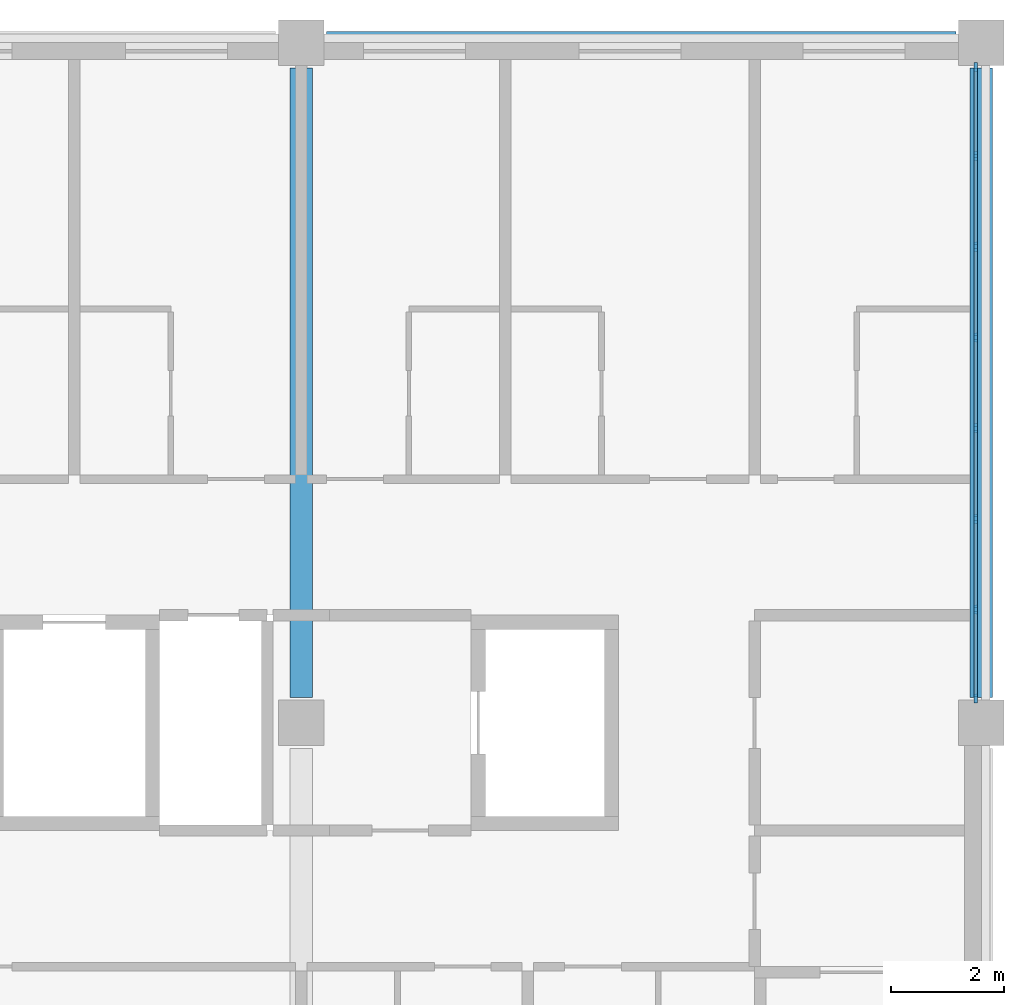
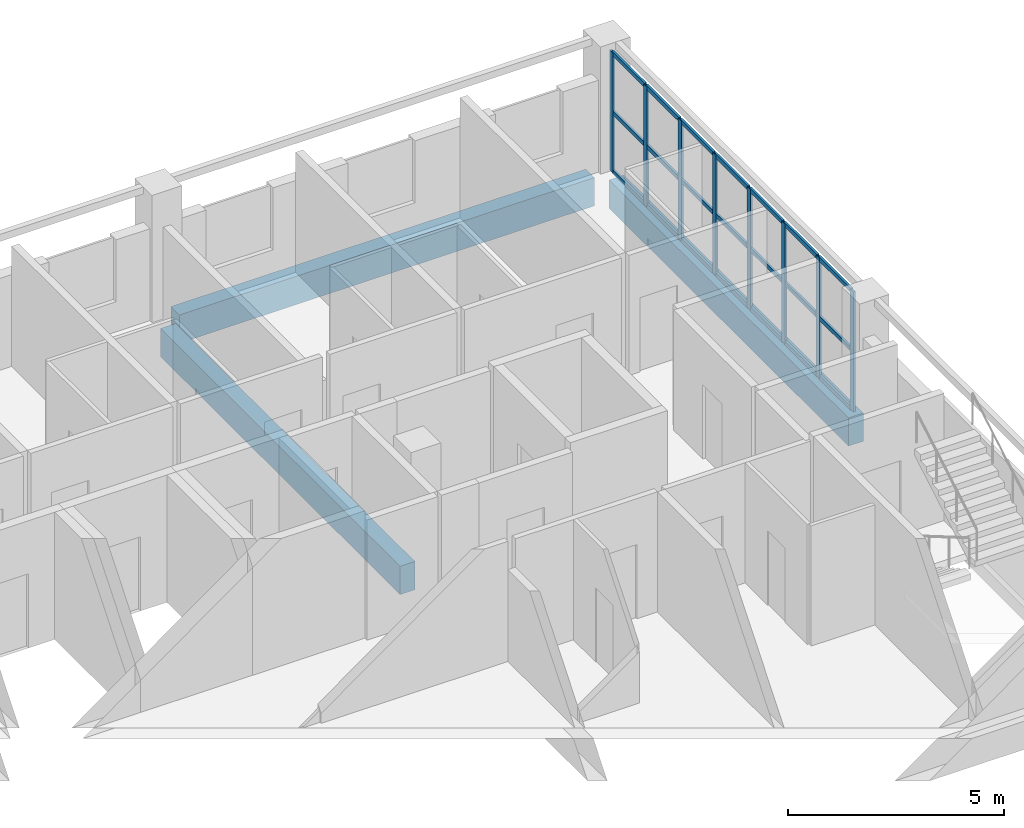
# One storey, part 4 of 11: 29 members, 3 beams, 1 element without a shape of its own.
"""IFC4 building model written with IfcOpenShell, lengths in metres."""

import ifcopenshell
import ifcopenshell.guid

model = None  # the IFC model being written
_history = None  # IfcOwnerHistory: only IFC2X3 demands one
_inside = {}  # id of a spatial element -> (the spatial element, [elements in it])
_under = {}  # id of a project, library or spatial element -> (it, [spatial elements below it])
_declared = {}  # id of a project -> (the project, [libraries it declares])
_typed = {}  # id of a type object -> (the type object, [elements of that type])
_made_of = {}  # id of a material, layer set ... -> (it, [elements and type objects made of it])


def new_model(schema):
    """Start an empty IFC model of exactly this schema.

    Asked for "IFC4X3", IfcOpenShell would pick the latest addendum, in which some entities
    have other attributes; the version numbers below select the first issue.
    IFC2X3 requires an IfcOwnerHistory on every rooted entity: one is made here for all.
    """
    global model, _history
    if schema == "IFC4X3":
        model = ifcopenshell.file(schema_version=(4, 3, 0, 0))
    else:
        model = ifcopenshell.file(schema=schema)
    _inside.clear()
    _under.clear()
    _declared.clear()
    _typed.clear()
    _made_of.clear()
    _history = None
    if model.schema == "IFC2X3":
        org = make("IfcOrganization", Name="unknown")
        user = make(
            "IfcPersonAndOrganization",
            ThePerson=make("IfcPerson", FamilyName="unknown"),
            TheOrganization=org,
        )
        app = make(
            "IfcApplication",
            ApplicationDeveloper=org,
            Version="unknown",
            ApplicationFullName="unknown",
            ApplicationIdentifier="unknown",
        )
        _history = make(
            "IfcOwnerHistory",
            OwningUser=user,
            OwningApplication=app,
            ChangeAction="ADDED",
            CreationDate=0,
        )
    return model


def make(cls, **values):
    """One entity of the class cls with the attributes given. An attribute that is None is left unset."""
    return model.create_entity(
        cls, **{name: value for name, value in values.items() if value is not None}
    )


def rooted(cls, **values):
    """An entity with a GlobalId (a new one), such as an element, a storey or a relation."""
    return make(cls, GlobalId=ifcopenshell.guid.new(), OwnerHistory=_history, **values)


def si_unit(unit_type, name, prefix=None):
    """IfcSIUnit, for example si_unit("LENGTHUNIT", "METRE", prefix="MILLI")."""
    return make("IfcSIUnit", UnitType=unit_type, Prefix=prefix, Name=name)


def assignment(units):
    """IfcUnitAssignment: the units of a project."""
    return None if units is None else make("IfcUnitAssignment", Units=units)


def point(xyz):
    """IfcCartesianPoint."""
    return None if xyz is None else make("IfcCartesianPoint", Coordinates=xyz)


def direction(xyz):
    """IfcDirection."""
    return None if xyz is None else make("IfcDirection", DirectionRatios=xyz)


def frame(location, z_axis=None, x_axis=None):
    """IfcAxis2Placement3D, a coordinate frame: its origin and axes. An axis left out is left unset."""
    return make(
        "IfcAxis2Placement3D",
        Location=point(location),
        Axis=direction(z_axis),
        RefDirection=direction(x_axis),
    )


def frame_2d(location, x_axis=None):
    """IfcAxis2Placement2D, a coordinate frame in the plane: its origin and x axis."""
    return make(
        "IfcAxis2Placement2D", Location=point(location), RefDirection=direction(x_axis)
    )


def origin():
    """The frame at (0, 0, 0) with its axes left unset."""
    return frame((0.0, 0.0, 0.0))


def origin_2d():
    """The frame at (0, 0) in the plane with its x axis left unset."""
    return frame_2d((0.0, 0.0))


def place(relative_to, where):
    """IfcLocalPlacement: puts the frame where relative to a parent placement (None: the world)."""
    return make(
        "IfcLocalPlacement", PlacementRelTo=relative_to, RelativePlacement=where
    )


def context(
    kind, dimensions, precision=None, world=None, true_north=None, identifier=None
):
    """IfcGeometricRepresentationContext, for example the 3D "Model" context."""
    return make(
        "IfcGeometricRepresentationContext",
        ContextIdentifier=identifier,
        ContextType=kind,
        CoordinateSpaceDimension=dimensions,
        Precision=precision,
        WorldCoordinateSystem=world,
        TrueNorth=true_north,
    )


def subcontext(parent, identifier, kind, view, scale=None):
    """IfcGeometricRepresentationSubContext, for example "Body" below "Model"."""
    return make(
        "IfcGeometricRepresentationSubContext",
        ContextIdentifier=identifier,
        ContextType=kind,
        ParentContext=parent,
        TargetScale=scale,
        TargetView=view,
    )


def project(units=None, contexts=None):
    """IfcProject with its units and contexts."""
    return rooted(
        "IfcProject",
        Name="project",
        RepresentationContexts=contexts,
        UnitsInContext=assignment(units),
    )


def spatial(cls, under=None, at=None, **own):
    """A site, building, storey or space (cls), placed at a placement, below another one or the project."""
    s = rooted(cls, ObjectPlacement=at, **own)
    if under is not None:
        _under.setdefault(under.id(), (under, []))[1].append(s)
    return s


def profile(cls, at=None, kind="AREA", **sizes):
    """A parametric profile (cls). Its sizes go by their IFC names, for example OverallWidth=200.0."""
    return make(cls, ProfileType=kind, Position=at, **sizes)


def rectangle(**sizes):
    """IfcRectangleProfileDef."""
    return profile("IfcRectangleProfileDef", **sizes)


def extrude(swept, where, along, depth):
    """IfcExtrudedAreaSolid: the profile swept, set in the frame where, extruded along a direction by depth."""
    return make(
        "IfcExtrudedAreaSolid",
        SweptArea=swept,
        Position=where,
        ExtrudedDirection=direction(along),
        Depth=depth,
    )


def shape(context_of_items, identifier, shape_type, items):
    """IfcShapeRepresentation: the items that make up one representation, for example the "Body"."""
    return make(
        "IfcShapeRepresentation",
        ContextOfItems=context_of_items,
        RepresentationIdentifier=identifier,
        RepresentationType=shape_type,
        Items=items,
    )


def material(Name=None, Category=None):
    """IfcMaterial."""
    return make("IfcMaterial", Name=Name, Category=Category)


def layer(
    of_material, thickness, ventilated=None, Name=None, Category=None, Priority=None
):
    """IfcMaterialLayer: one layer of a wall or slab, of a material (None: an air gap)."""
    return make(
        "IfcMaterialLayer",
        Material=of_material,
        LayerThickness=thickness,
        IsVentilated=ventilated,
        Name=Name,
        Category=Category,
        Priority=Priority,
    )


def layer_set(layers, Name=None):
    """IfcMaterialLayerSet."""
    return make("IfcMaterialLayerSet", MaterialLayers=layers, LayerSetName=Name)


def material_profile(
    of_material, cross_section, Name=None, Category=None, Priority=None
):
    """IfcMaterialProfile: a cross section and its material."""
    return make(
        "IfcMaterialProfile",
        Name=Name,
        Material=of_material,
        Profile=cross_section,
        Priority=Priority,
        Category=Category,
    )


def profile_set(profiles, Name=None, composite=None):
    """IfcMaterialProfileSet."""
    return make(
        "IfcMaterialProfileSet",
        Name=Name,
        MaterialProfiles=profiles,
        CompositeProfile=composite,
    )


def made_of(thing, what):
    """Note that an element or type object is made of a material, layer set ...; save() writes the relation."""
    if what is not None:
        _made_of.setdefault(what.id(), (what, []))[1].append(thing)
    return thing


def type_object(cls, material=None, **own):
    """A type object (cls), such as IfcWallType, which elements share."""
    return made_of(rooted(cls, **own), material)


def element(
    cls,
    number,
    at=None,
    inside=None,
    cuts=None,
    type_object=None,
    material=None,
    context=None,
    identifier="Body",
    shape_type=None,
    held_by="IfcProductDefinitionShape",
    body=None,
    shapes=None,
    **own,
):
    """One element of the class cls, such as IfcWall. Its Tag is "e" and its number.

    at: its placement. inside: the storey or other place that contains it. cuts: it is an
    opening in that element (IfcRelVoidsElement). A single representation is given by context,
    identifier, shape_type and body (its items); several are given by shapes. held_by: the class
    of the entity that holds the representations. save() writes the other relations.
    """
    e = rooted(cls, Tag="e%d" % number, ObjectPlacement=at, **own)
    if body is not None:
        shapes = [shape(context, identifier, shape_type, body)]
    if shapes is not None:
        e.Representation = make(held_by, Representations=shapes)
    if inside is not None:
        _inside.setdefault(inside.id(), (inside, []))[1].append(e)
    if cuts is not None:
        rooted(
            "IfcRelVoidsElement", RelatingBuildingElement=cuts, RelatedOpeningElement=e
        )
    if type_object is not None:
        _typed.setdefault(type_object.id(), (type_object, []))[1].append(e)
    return made_of(e, material)


def aggregate(whole, parts):
    """IfcRelAggregates: a whole, such as a stair, and the parts it consists of."""
    return rooted("IfcRelAggregates", RelatingObject=whole, RelatedObjects=parts)


def save(model, path):
    """Write the relations noted so far, then the file.

    IfcRelAggregates (storeys below a building ...), IfcRelContainedInSpatialStructure (elements
    in a storey), IfcRelDefinesByType, IfcRelAssociatesMaterial and IfcRelDeclares: one each for
    every whole, place, type object, material and project.
    """
    for whole, parts in _under.values():
        aggregate(whole, parts)
    for where, things in _inside.values():
        rooted(
            "IfcRelContainedInSpatialStructure",
            RelatedElements=things,
            RelatingStructure=where,
        )
    for kind, things in _typed.values():
        rooted("IfcRelDefinesByType", RelatedObjects=things, RelatingType=kind)
    for what, things in _made_of.values():
        rooted("IfcRelAssociatesMaterial", RelatedObjects=things, RelatingMaterial=what)
    for by, libraries in _declared.values():
        rooted("IfcRelDeclares", RelatingContext=by, RelatedDefinitions=libraries)
    model.write(path)


model = new_model("IFC4")

# Units and contexts
model_context = context("Model", 3, precision=1e-05, world=origin(), true_north=direction((0.0, 1.0)))
body_context = subcontext(model_context, "Body", "Model", "MODEL_VIEW")
ifc_project = project(units=[si_unit("LENGTHUNIT", "METRE"), si_unit("AREAUNIT", "SQUARE_METRE"), si_unit("VOLUMEUNIT", "CUBIC_METRE"), si_unit("PLANEANGLEUNIT", "RADIAN"), si_unit("MASSUNIT", "GRAM", prefix="KILO")], contexts=[model_context])

# Site, building, storey
site_placement = place(None, origin())
site = spatial("IfcSite", under=ifc_project, at=site_placement, CompositionType="ELEMENT")
building_placement = place(site_placement, origin())
building = spatial("IfcBuilding", under=site, at=building_placement, Name="Lilac Gate Convention Centre", CompositionType="ELEMENT")
storey_placement = place(building_placement, frame((0.0, 0.0, 35.39990234375)))
storey = spatial("IfcBuildingStorey", under=building, at=storey_placement, Name="L08", CompositionType="ELEMENT", Elevation=35.39990234375)

# Curtain wall, members
ifc_material_1 = material(Name="Aluminium framed double glazing", Category="aluminium")
ifc_layer = layer(ifc_material_1, 0.199951171875)
ifc_layer_set = layer_set([ifc_layer], Name="Aluminium framed double glazing")
curtain_wall_type = type_object("IfcCurtainWallType", Name="Unitised curtain wall 1500", PredefinedType="NOTDEFINED", material=ifc_layer_set)
curtain_wall_placement = place(storey_placement, origin())
curtain_wall = element("IfcCurtainWall", 1, at=curtain_wall_placement, inside=storey, type_object=curtain_wall_type, Name="Curtain wall E L08 2", PredefinedType="NOTDEFINED")
ifc_material_2 = material(Name="Aluminium alloy 6063", Category="aluminium")
ifc_material_profile_1 = material_profile(ifc_material_2, rectangle(XDim=0.06005859375, YDim=0.159912109375, at=origin_2d()), Name="Curtain wall mullion 60 x 160")
ifc_profile_set_1 = profile_set([ifc_material_profile_1], Name="Aluminium alloy 6063")
member_type_1 = type_object("IfcMemberType", Name="Curtain wall mullion 60 x 160", PredefinedType="MULLION", material=ifc_profile_set_1)
member_1_placement = place(storey_placement, frame((89.89990234375, 234.429931640625, 0.0), z_axis=(0.0, 0.0, 1.0), x_axis=(-1.0, 0.0, 0.0)))
member_1 = element("IfcMember", 2, at=member_1_placement, type_object=member_type_1, Name="CW mullion 1", PredefinedType="MULLION", context=body_context, shape_type="SweptSolid", body=[
    extrude(rectangle(XDim=0.06005859375, YDim=0.159912109375, at=origin_2d()), origin(), (0.0, 0.0, 1.0), 3.400146484375),
])
member_2_placement = place(storey_placement, frame((89.89990234375, 236.0, 0.0), z_axis=(0.0, 0.0, 1.0), x_axis=(-1.0, 0.0, 0.0)))
member_2 = element("IfcMember", 3, at=member_2_placement, type_object=member_type_1, Name="CW mullion 2", PredefinedType="MULLION", context=body_context, shape_type="SweptSolid", body=[
    extrude(rectangle(XDim=0.06005859375, YDim=0.159912109375, at=origin_2d()), origin(), (0.0, 0.0, 1.0), 3.400146484375),
])
member_3_placement = place(storey_placement, frame((89.89990234375, 237.599853515625, 0.0), z_axis=(0.0, 0.0, 1.0), x_axis=(-1.0, 0.0, 0.0)))
member_3 = element("IfcMember", 4, at=member_3_placement, type_object=member_type_1, Name="CW mullion 3", PredefinedType="MULLION", context=body_context, shape_type="SweptSolid", body=[
    extrude(rectangle(XDim=0.06005859375, YDim=0.159912109375, at=origin_2d()), origin(), (0.0, 0.0, 1.0), 3.400146484375),
])
member_4_placement = place(storey_placement, frame((89.89990234375, 239.199951171875, 0.0), z_axis=(0.0, 0.0, 1.0), x_axis=(-1.0, 0.0, 0.0)))
member_4 = element("IfcMember", 5, at=member_4_placement, type_object=member_type_1, Name="CW mullion 4", PredefinedType="MULLION", context=body_context, shape_type="SweptSolid", body=[
    extrude(rectangle(XDim=0.06005859375, YDim=0.159912109375, at=origin_2d()), origin(), (0.0, 0.0, 1.0), 3.400146484375),
])
member_5_placement = place(storey_placement, frame((89.89990234375, 240.800048828125, 0.0), z_axis=(0.0, 0.0, 1.0), x_axis=(-1.0, 0.0, 0.0)))
member_5 = element("IfcMember", 6, at=member_5_placement, type_object=member_type_1, Name="CW mullion 5", PredefinedType="MULLION", context=body_context, shape_type="SweptSolid", body=[
    extrude(rectangle(XDim=0.06005859375, YDim=0.159912109375, at=origin_2d()), origin(), (0.0, 0.0, 1.0), 3.400146484375),
])
member_6_placement = place(storey_placement, frame((89.89990234375, 242.400146484375, 0.0), z_axis=(0.0, 0.0, 1.0), x_axis=(-1.0, 0.0, 0.0)))
member_6 = element("IfcMember", 7, at=member_6_placement, type_object=member_type_1, Name="CW mullion 6", PredefinedType="MULLION", context=body_context, shape_type="SweptSolid", body=[
    extrude(rectangle(XDim=0.06005859375, YDim=0.159912109375, at=origin_2d()), origin(), (0.0, 0.0, 1.0), 3.400146484375),
])
member_7_placement = place(storey_placement, frame((89.89990234375, 244.0, 0.0), z_axis=(0.0, 0.0, 1.0), x_axis=(-1.0, 0.0, 0.0)))
member_7 = element("IfcMember", 8, at=member_7_placement, type_object=member_type_1, Name="CW mullion 7", PredefinedType="MULLION", context=body_context, shape_type="SweptSolid", body=[
    extrude(rectangle(XDim=0.06005859375, YDim=0.159912109375, at=origin_2d()), origin(), (0.0, 0.0, 1.0), 3.400146484375),
])
member_8_placement = place(storey_placement, frame((89.89990234375, 245.570068359375, 0.0), z_axis=(0.0, 0.0, 1.0), x_axis=(-1.0, 0.0, 0.0)))
member_8 = element("IfcMember", 9, at=member_8_placement, type_object=member_type_1, Name="CW mullion 8", PredefinedType="MULLION", context=body_context, shape_type="SweptSolid", body=[
    extrude(rectangle(XDim=0.06005859375, YDim=0.159912109375, at=origin_2d()), origin(), (0.0, 0.0, 1.0), 3.400146484375),
])
ifc_material_profile_2 = material_profile(ifc_material_2, rectangle(XDim=0.06005859375, YDim=0.1201171875, at=origin_2d()), Name="Curtain wall transom 60 x 120")
ifc_profile_set_2 = profile_set([ifc_material_profile_2], Name="Aluminium alloy 6063")
member_type_2 = type_object("IfcMemberType", Name="Curtain wall transom 60 x 120", PredefinedType="USERDEFINED", material=ifc_profile_set_2)
member_9_placement = place(storey_placement, frame((89.89990234375, 234.4599609375, 0.030029296875), z_axis=(0.0, 1.0, 0.0), x_axis=(-1.0, 0.0, 0.0)))
member_9 = element("IfcMember", 10, at=member_9_placement, type_object=member_type_2, Name="CW transom 1.1", ObjectType="TRANSOM", PredefinedType="USERDEFINED", context=body_context, shape_type="SweptSolid", body=[
    extrude(rectangle(XDim=0.06005859375, YDim=0.1201171875, at=origin_2d()), origin(), (0.0, 0.0, 1.0), 1.510009765625),
])
member_10_placement = place(storey_placement, frame((89.89990234375, 234.4599609375, 1.7001953125), z_axis=(0.0, 1.0, 0.0), x_axis=(-1.0, 0.0, 0.0)))
member_10 = element("IfcMember", 11, at=member_10_placement, type_object=member_type_2, Name="CW transom 1.2", ObjectType="TRANSOM", PredefinedType="USERDEFINED", context=body_context, shape_type="SweptSolid", body=[
    extrude(rectangle(XDim=0.06005859375, YDim=0.1201171875, at=origin_2d()), origin(), (0.0, 0.0, 1.0), 1.510009765625),
])
member_11_placement = place(storey_placement, frame((89.89990234375, 234.4599609375, 3.3701171875), z_axis=(0.0, 1.0, 0.0), x_axis=(-1.0, 0.0, 0.0)))
member_11 = element("IfcMember", 12, at=member_11_placement, type_object=member_type_2, Name="CW transom 1.3", ObjectType="TRANSOM", PredefinedType="USERDEFINED", context=body_context, shape_type="SweptSolid", body=[
    extrude(rectangle(XDim=0.06005859375, YDim=0.1201171875, at=origin_2d()), origin(), (0.0, 0.0, 1.0), 1.510009765625),
])
member_12_placement = place(storey_placement, frame((89.89990234375, 236.030029296875, 0.030029296875), z_axis=(0.0, 1.0, 0.0), x_axis=(-1.0, 0.0, 0.0)))
member_12 = element("IfcMember", 13, at=member_12_placement, type_object=member_type_2, Name="CW transom 2.1", ObjectType="TRANSOM", PredefinedType="USERDEFINED", context=body_context, shape_type="SweptSolid", body=[
    extrude(rectangle(XDim=0.06005859375, YDim=0.1201171875, at=origin_2d()), origin(), (0.0, 0.0, 1.0), 1.5400390625),
])
member_13_placement = place(storey_placement, frame((89.89990234375, 236.030029296875, 1.7001953125), z_axis=(0.0, 1.0, 0.0), x_axis=(-1.0, 0.0, 0.0)))
member_13 = element("IfcMember", 14, at=member_13_placement, type_object=member_type_2, Name="CW transom 2.2", ObjectType="TRANSOM", PredefinedType="USERDEFINED", context=body_context, shape_type="SweptSolid", body=[
    extrude(rectangle(XDim=0.06005859375, YDim=0.1201171875, at=origin_2d()), origin(), (0.0, 0.0, 1.0), 1.5400390625),
])
member_14_placement = place(storey_placement, frame((89.89990234375, 236.030029296875, 3.3701171875), z_axis=(0.0, 1.0, 0.0), x_axis=(-1.0, 0.0, 0.0)))
member_14 = element("IfcMember", 15, at=member_14_placement, type_object=member_type_2, Name="CW transom 2.3", ObjectType="TRANSOM", PredefinedType="USERDEFINED", context=body_context, shape_type="SweptSolid", body=[
    extrude(rectangle(XDim=0.06005859375, YDim=0.1201171875, at=origin_2d()), origin(), (0.0, 0.0, 1.0), 1.5400390625),
])
member_15_placement = place(storey_placement, frame((89.89990234375, 237.6298828125, 0.030029296875), z_axis=(0.0, 1.0, 0.0), x_axis=(-1.0, 0.0, 0.0)))
member_15 = element("IfcMember", 16, at=member_15_placement, type_object=member_type_2, Name="CW transom 3.1", ObjectType="TRANSOM", PredefinedType="USERDEFINED", context=body_context, shape_type="SweptSolid", body=[
    extrude(rectangle(XDim=0.06005859375, YDim=0.1201171875, at=origin_2d()), origin(), (0.0, 0.0, 1.0), 1.5400390625),
])
member_16_placement = place(storey_placement, frame((89.89990234375, 237.6298828125, 1.7001953125), z_axis=(0.0, 1.0, 0.0), x_axis=(-1.0, 0.0, 0.0)))
member_16 = element("IfcMember", 17, at=member_16_placement, type_object=member_type_2, Name="CW transom 3.2", ObjectType="TRANSOM", PredefinedType="USERDEFINED", context=body_context, shape_type="SweptSolid", body=[
    extrude(rectangle(XDim=0.06005859375, YDim=0.1201171875, at=origin_2d()), origin(), (0.0, 0.0, 1.0), 1.5400390625),
])
member_17_placement = place(storey_placement, frame((89.89990234375, 237.6298828125, 3.3701171875), z_axis=(0.0, 1.0, 0.0), x_axis=(-1.0, 0.0, 0.0)))
member_17 = element("IfcMember", 18, at=member_17_placement, type_object=member_type_2, Name="CW transom 3.3", ObjectType="TRANSOM", PredefinedType="USERDEFINED", context=body_context, shape_type="SweptSolid", body=[
    extrude(rectangle(XDim=0.06005859375, YDim=0.1201171875, at=origin_2d()), origin(), (0.0, 0.0, 1.0), 1.5400390625),
])
member_18_placement = place(storey_placement, frame((89.89990234375, 239.22998046875, 0.030029296875), z_axis=(0.0, 1.0, 0.0), x_axis=(-1.0, 0.0, 0.0)))
member_18 = element("IfcMember", 19, at=member_18_placement, type_object=member_type_2, Name="CW transom 4.1", ObjectType="TRANSOM", PredefinedType="USERDEFINED", context=body_context, shape_type="SweptSolid", body=[
    extrude(rectangle(XDim=0.06005859375, YDim=0.1201171875, at=origin_2d()), origin(), (0.0, 0.0, 1.0), 1.5400390625),
])
member_19_placement = place(storey_placement, frame((89.89990234375, 239.22998046875, 1.7001953125), z_axis=(0.0, 1.0, 0.0), x_axis=(-1.0, 0.0, 0.0)))
member_19 = element("IfcMember", 20, at=member_19_placement, type_object=member_type_2, Name="CW transom 4.2", ObjectType="TRANSOM", PredefinedType="USERDEFINED", context=body_context, shape_type="SweptSolid", body=[
    extrude(rectangle(XDim=0.06005859375, YDim=0.1201171875, at=origin_2d()), origin(), (0.0, 0.0, 1.0), 1.5400390625),
])
member_20_placement = place(storey_placement, frame((89.89990234375, 239.22998046875, 3.3701171875), z_axis=(0.0, 1.0, 0.0), x_axis=(-1.0, 0.0, 0.0)))
member_20 = element("IfcMember", 21, at=member_20_placement, type_object=member_type_2, Name="CW transom 4.3", ObjectType="TRANSOM", PredefinedType="USERDEFINED", context=body_context, shape_type="SweptSolid", body=[
    extrude(rectangle(XDim=0.06005859375, YDim=0.1201171875, at=origin_2d()), origin(), (0.0, 0.0, 1.0), 1.5400390625),
])
member_21_placement = place(storey_placement, frame((89.89990234375, 240.830078125, 0.030029296875), z_axis=(0.0, 1.0, 0.0), x_axis=(-1.0, 0.0, 0.0)))
member_21 = element("IfcMember", 22, at=member_21_placement, type_object=member_type_2, Name="CW transom 5.1", ObjectType="TRANSOM", PredefinedType="USERDEFINED", context=body_context, shape_type="SweptSolid", body=[
    extrude(rectangle(XDim=0.06005859375, YDim=0.1201171875, at=origin_2d()), origin(), (0.0, 0.0, 1.0), 1.5400390625),
])
member_22_placement = place(storey_placement, frame((89.89990234375, 240.830078125, 1.7001953125), z_axis=(0.0, 1.0, 0.0), x_axis=(-1.0, 0.0, 0.0)))
member_22 = element("IfcMember", 23, at=member_22_placement, type_object=member_type_2, Name="CW transom 5.2", ObjectType="TRANSOM", PredefinedType="USERDEFINED", context=body_context, shape_type="SweptSolid", body=[
    extrude(rectangle(XDim=0.06005859375, YDim=0.1201171875, at=origin_2d()), origin(), (0.0, 0.0, 1.0), 1.5400390625),
])
member_23_placement = place(storey_placement, frame((89.89990234375, 240.830078125, 3.3701171875), z_axis=(0.0, 1.0, 0.0), x_axis=(-1.0, 0.0, 0.0)))
member_23 = element("IfcMember", 24, at=member_23_placement, type_object=member_type_2, Name="CW transom 5.3", ObjectType="TRANSOM", PredefinedType="USERDEFINED", context=body_context, shape_type="SweptSolid", body=[
    extrude(rectangle(XDim=0.06005859375, YDim=0.1201171875, at=origin_2d()), origin(), (0.0, 0.0, 1.0), 1.5400390625),
])
member_24_placement = place(storey_placement, frame((89.89990234375, 242.429931640625, 0.030029296875), z_axis=(0.0, 1.0, 0.0), x_axis=(-1.0, 0.0, 0.0)))
member_24 = element("IfcMember", 25, at=member_24_placement, type_object=member_type_2, Name="CW transom 6.1", ObjectType="TRANSOM", PredefinedType="USERDEFINED", context=body_context, shape_type="SweptSolid", body=[
    extrude(rectangle(XDim=0.06005859375, YDim=0.1201171875, at=origin_2d()), origin(), (0.0, 0.0, 1.0), 1.5400390625),
])
member_25_placement = place(storey_placement, frame((89.89990234375, 242.429931640625, 1.7001953125), z_axis=(0.0, 1.0, 0.0), x_axis=(-1.0, 0.0, 0.0)))
member_25 = element("IfcMember", 26, at=member_25_placement, type_object=member_type_2, Name="CW transom 6.2", ObjectType="TRANSOM", PredefinedType="USERDEFINED", context=body_context, shape_type="SweptSolid", body=[
    extrude(rectangle(XDim=0.06005859375, YDim=0.1201171875, at=origin_2d()), origin(), (0.0, 0.0, 1.0), 1.5400390625),
])
member_26_placement = place(storey_placement, frame((89.89990234375, 242.429931640625, 3.3701171875), z_axis=(0.0, 1.0, 0.0), x_axis=(-1.0, 0.0, 0.0)))
member_26 = element("IfcMember", 27, at=member_26_placement, type_object=member_type_2, Name="CW transom 6.3", ObjectType="TRANSOM", PredefinedType="USERDEFINED", context=body_context, shape_type="SweptSolid", body=[
    extrude(rectangle(XDim=0.06005859375, YDim=0.1201171875, at=origin_2d()), origin(), (0.0, 0.0, 1.0), 1.5400390625),
])
member_27_placement = place(storey_placement, frame((89.89990234375, 244.030029296875, 0.030029296875), z_axis=(0.0, 1.0, 0.0), x_axis=(-1.0, 0.0, 0.0)))
member_27 = element("IfcMember", 28, at=member_27_placement, type_object=member_type_2, Name="CW transom 7.1", ObjectType="TRANSOM", PredefinedType="USERDEFINED", context=body_context, shape_type="SweptSolid", body=[
    extrude(rectangle(XDim=0.06005859375, YDim=0.1201171875, at=origin_2d()), origin(), (0.0, 0.0, 1.0), 1.510009765625),
])
member_28_placement = place(storey_placement, frame((89.89990234375, 244.030029296875, 1.7001953125), z_axis=(0.0, 1.0, 0.0), x_axis=(-1.0, 0.0, 0.0)))
member_28 = element("IfcMember", 29, at=member_28_placement, type_object=member_type_2, Name="CW transom 7.2", ObjectType="TRANSOM", PredefinedType="USERDEFINED", context=body_context, shape_type="SweptSolid", body=[
    extrude(rectangle(XDim=0.06005859375, YDim=0.1201171875, at=origin_2d()), origin(), (0.0, 0.0, 1.0), 1.510009765625),
])
member_29_placement = place(storey_placement, frame((89.89990234375, 244.030029296875, 3.3701171875), z_axis=(0.0, 1.0, 0.0), x_axis=(-1.0, 0.0, 0.0)))
member_29 = element("IfcMember", 30, at=member_29_placement, type_object=member_type_2, Name="CW transom 7.3", ObjectType="TRANSOM", PredefinedType="USERDEFINED", context=body_context, shape_type="SweptSolid", body=[
    extrude(rectangle(XDim=0.06005859375, YDim=0.1201171875, at=origin_2d()), origin(), (0.0, 0.0, 1.0), 1.510009765625),
])
aggregate(curtain_wall, [member_1, member_2, member_3, member_4, member_5, member_6, member_7, member_8, member_9, member_10, member_11, member_12, member_13, member_14, member_15, member_16, member_17, member_18, member_19, member_20, member_21, member_22, member_23, member_24, member_25, member_26, member_27, member_28, member_29])

# Beams
ifc_material_3 = material(Name="Concrete C40", Category="concrete")
ifc_material_profile_3 = material_profile(ifc_material_3, rectangle(XDim=0.39990234375, YDim=0.800048828125, at=origin_2d()), Name="RC 400x800")
ifc_profile_set_3 = profile_set([ifc_material_profile_3], Name="Concrete C40")
beam_type = type_object("IfcBeamType", Name="Tower primary beam 400x800 C40", PredefinedType="BEAM", material=ifc_profile_set_3)
for number, where, z_axis, x_axis, name in (
    (31, (78.449951171875, 246.0, -0.599853515625), (1.0, 0.0, 0.0), (0.0, 1.0, 0.0), "RB3 L08 7/U-8/U"),
    (32, (78.0, 234.449951171875, -0.599853515625), (0.0, 1.0, 0.0), (-1.0, 0.0, 0.0), "RB3 L08 7/T-7/U"),
    (33, (90.0, 234.449951171875, -0.599853515625), (0.0, 1.0, 0.0), (-1.0, 0.0, 0.0), "RB3 L08 8/T-8/U"),
):
    element("IfcBeam", number, at=place(storey_placement, frame(where, z_axis=z_axis, x_axis=x_axis)), inside=storey, type_object=beam_type, Name=name, PredefinedType="BEAM", context=body_context, shape_type="SweptSolid", body=[
        extrude(rectangle(XDim=0.39990234375, YDim=0.800048828125, at=origin_2d()), origin(), (0.0, 0.0, 1.0), 11.10009765625),
    ])

save(model, "model.ifc")
